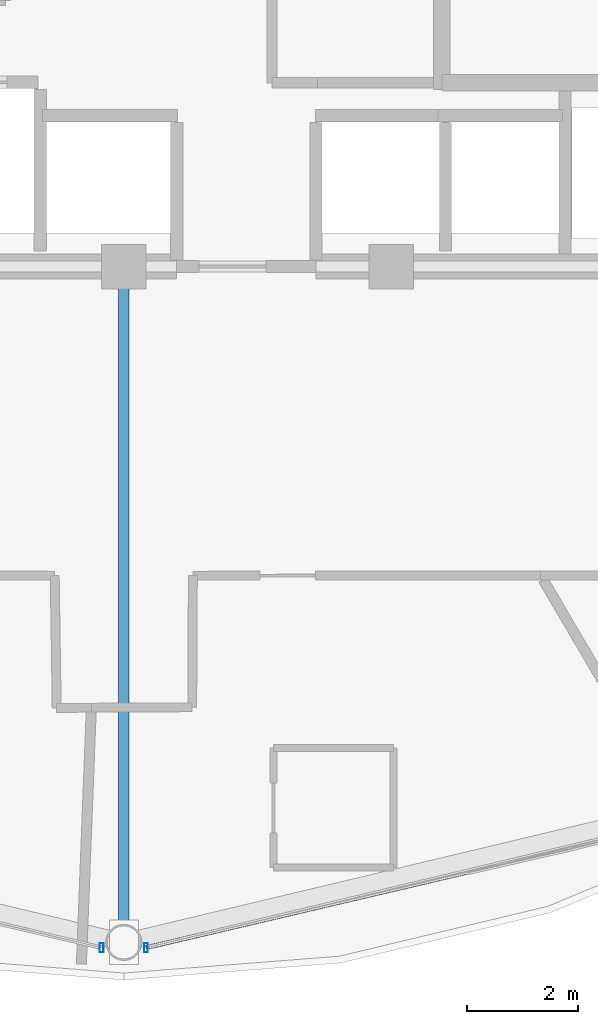
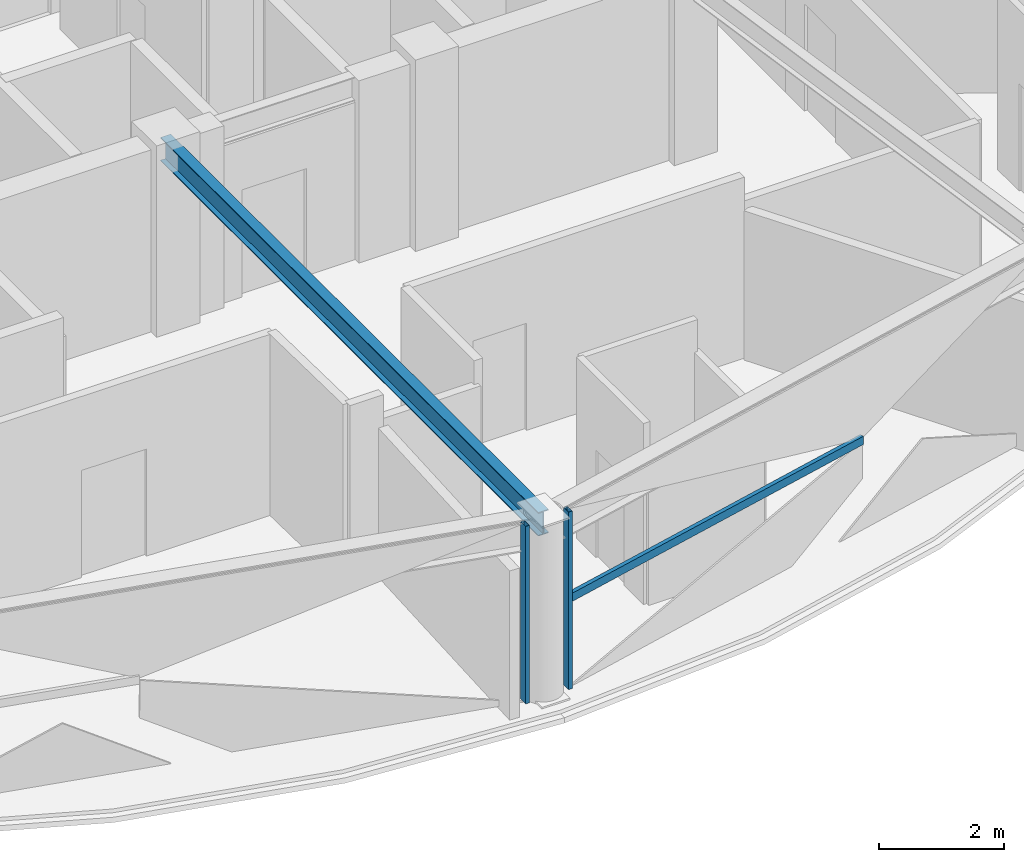
# One storey, part 5 of 28: 3 members, 1 beam, 2 elements without a shape of their own.
"""IFC4 building model written with IfcOpenShell, lengths in metres."""

import ifcopenshell
import ifcopenshell.guid

model = None  # the IFC model being written
_history = None  # IfcOwnerHistory: only IFC2X3 demands one
_inside = {}  # id of a spatial element -> (the spatial element, [elements in it])
_under = {}  # id of a project, library or spatial element -> (it, [spatial elements below it])
_declared = {}  # id of a project -> (the project, [libraries it declares])
_typed = {}  # id of a type object -> (the type object, [elements of that type])
_made_of = {}  # id of a material, layer set ... -> (it, [elements and type objects made of it])


def new_model(schema):
    """Start an empty IFC model of exactly this schema.

    Asked for "IFC4X3", IfcOpenShell would pick the latest addendum, in which some entities
    have other attributes; the version numbers below select the first issue.
    IFC2X3 requires an IfcOwnerHistory on every rooted entity: one is made here for all.
    """
    global model, _history
    if schema == "IFC4X3":
        model = ifcopenshell.file(schema_version=(4, 3, 0, 0))
    else:
        model = ifcopenshell.file(schema=schema)
    _inside.clear()
    _under.clear()
    _declared.clear()
    _typed.clear()
    _made_of.clear()
    _history = None
    if model.schema == "IFC2X3":
        org = make("IfcOrganization", Name="unknown")
        user = make(
            "IfcPersonAndOrganization",
            ThePerson=make("IfcPerson", FamilyName="unknown"),
            TheOrganization=org,
        )
        app = make(
            "IfcApplication",
            ApplicationDeveloper=org,
            Version="unknown",
            ApplicationFullName="unknown",
            ApplicationIdentifier="unknown",
        )
        _history = make(
            "IfcOwnerHistory",
            OwningUser=user,
            OwningApplication=app,
            ChangeAction="ADDED",
            CreationDate=0,
        )
    return model


def make(cls, **values):
    """One entity of the class cls with the attributes given. An attribute that is None is left unset."""
    return model.create_entity(
        cls, **{name: value for name, value in values.items() if value is not None}
    )


def rooted(cls, **values):
    """An entity with a GlobalId (a new one), such as an element, a storey or a relation."""
    return make(cls, GlobalId=ifcopenshell.guid.new(), OwnerHistory=_history, **values)


def si_unit(unit_type, name, prefix=None):
    """IfcSIUnit, for example si_unit("LENGTHUNIT", "METRE", prefix="MILLI")."""
    return make("IfcSIUnit", UnitType=unit_type, Prefix=prefix, Name=name)


def assignment(units):
    """IfcUnitAssignment: the units of a project."""
    return None if units is None else make("IfcUnitAssignment", Units=units)


def point(xyz):
    """IfcCartesianPoint."""
    return None if xyz is None else make("IfcCartesianPoint", Coordinates=xyz)


def direction(xyz):
    """IfcDirection."""
    return None if xyz is None else make("IfcDirection", DirectionRatios=xyz)


def frame(location, z_axis=None, x_axis=None):
    """IfcAxis2Placement3D, a coordinate frame: its origin and axes. An axis left out is left unset."""
    return make(
        "IfcAxis2Placement3D",
        Location=point(location),
        Axis=direction(z_axis),
        RefDirection=direction(x_axis),
    )


def frame_2d(location, x_axis=None):
    """IfcAxis2Placement2D, a coordinate frame in the plane: its origin and x axis."""
    return make(
        "IfcAxis2Placement2D", Location=point(location), RefDirection=direction(x_axis)
    )


def origin():
    """The frame at (0, 0, 0) with its axes left unset."""
    return frame((0.0, 0.0, 0.0))


def origin_2d():
    """The frame at (0, 0) in the plane with its x axis left unset."""
    return frame_2d((0.0, 0.0))


def place(relative_to, where):
    """IfcLocalPlacement: puts the frame where relative to a parent placement (None: the world)."""
    return make(
        "IfcLocalPlacement", PlacementRelTo=relative_to, RelativePlacement=where
    )


def context(
    kind, dimensions, precision=None, world=None, true_north=None, identifier=None
):
    """IfcGeometricRepresentationContext, for example the 3D "Model" context."""
    return make(
        "IfcGeometricRepresentationContext",
        ContextIdentifier=identifier,
        ContextType=kind,
        CoordinateSpaceDimension=dimensions,
        Precision=precision,
        WorldCoordinateSystem=world,
        TrueNorth=true_north,
    )


def subcontext(parent, identifier, kind, view, scale=None):
    """IfcGeometricRepresentationSubContext, for example "Body" below "Model"."""
    return make(
        "IfcGeometricRepresentationSubContext",
        ContextIdentifier=identifier,
        ContextType=kind,
        ParentContext=parent,
        TargetScale=scale,
        TargetView=view,
    )


def project(units=None, contexts=None):
    """IfcProject with its units and contexts."""
    return rooted(
        "IfcProject",
        Name="project",
        RepresentationContexts=contexts,
        UnitsInContext=assignment(units),
    )


def spatial(cls, under=None, at=None, **own):
    """A site, building, storey or space (cls), placed at a placement, below another one or the project."""
    s = rooted(cls, ObjectPlacement=at, **own)
    if under is not None:
        _under.setdefault(under.id(), (under, []))[1].append(s)
    return s


def profile(cls, at=None, kind="AREA", **sizes):
    """A parametric profile (cls). Its sizes go by their IFC names, for example OverallWidth=200.0."""
    return make(cls, ProfileType=kind, Position=at, **sizes)


def hollow_rectangle(**sizes):
    """IfcRectangleHollowProfileDef."""
    return profile("IfcRectangleHollowProfileDef", **sizes)


def i_section(**sizes):
    """IfcIShapeProfileDef."""
    return profile("IfcIShapeProfileDef", **sizes)


def extrude(swept, where, along, depth):
    """IfcExtrudedAreaSolid: the profile swept, set in the frame where, extruded along a direction by depth."""
    return make(
        "IfcExtrudedAreaSolid",
        SweptArea=swept,
        Position=where,
        ExtrudedDirection=direction(along),
        Depth=depth,
    )


def shape(context_of_items, identifier, shape_type, items):
    """IfcShapeRepresentation: the items that make up one representation, for example the "Body"."""
    return make(
        "IfcShapeRepresentation",
        ContextOfItems=context_of_items,
        RepresentationIdentifier=identifier,
        RepresentationType=shape_type,
        Items=items,
    )


def material(Name=None, Category=None):
    """IfcMaterial."""
    return make("IfcMaterial", Name=Name, Category=Category)


def layer(
    of_material, thickness, ventilated=None, Name=None, Category=None, Priority=None
):
    """IfcMaterialLayer: one layer of a wall or slab, of a material (None: an air gap)."""
    return make(
        "IfcMaterialLayer",
        Material=of_material,
        LayerThickness=thickness,
        IsVentilated=ventilated,
        Name=Name,
        Category=Category,
        Priority=Priority,
    )


def layer_set(layers, Name=None):
    """IfcMaterialLayerSet."""
    return make("IfcMaterialLayerSet", MaterialLayers=layers, LayerSetName=Name)


def material_profile(
    of_material, cross_section, Name=None, Category=None, Priority=None
):
    """IfcMaterialProfile: a cross section and its material."""
    return make(
        "IfcMaterialProfile",
        Name=Name,
        Material=of_material,
        Profile=cross_section,
        Priority=Priority,
        Category=Category,
    )


def profile_set(profiles, Name=None, composite=None):
    """IfcMaterialProfileSet."""
    return make(
        "IfcMaterialProfileSet",
        Name=Name,
        MaterialProfiles=profiles,
        CompositeProfile=composite,
    )


def made_of(thing, what):
    """Note that an element or type object is made of a material, layer set ...; save() writes the relation."""
    if what is not None:
        _made_of.setdefault(what.id(), (what, []))[1].append(thing)
    return thing


def type_object(cls, material=None, **own):
    """A type object (cls), such as IfcWallType, which elements share."""
    return made_of(rooted(cls, **own), material)


def element(
    cls,
    number,
    at=None,
    inside=None,
    cuts=None,
    type_object=None,
    material=None,
    context=None,
    identifier="Body",
    shape_type=None,
    held_by="IfcProductDefinitionShape",
    body=None,
    shapes=None,
    **own,
):
    """One element of the class cls, such as IfcWall. Its Tag is "e" and its number.

    at: its placement. inside: the storey or other place that contains it. cuts: it is an
    opening in that element (IfcRelVoidsElement). A single representation is given by context,
    identifier, shape_type and body (its items); several are given by shapes. held_by: the class
    of the entity that holds the representations. save() writes the other relations.
    """
    e = rooted(cls, Tag="e%d" % number, ObjectPlacement=at, **own)
    if body is not None:
        shapes = [shape(context, identifier, shape_type, body)]
    if shapes is not None:
        e.Representation = make(held_by, Representations=shapes)
    if inside is not None:
        _inside.setdefault(inside.id(), (inside, []))[1].append(e)
    if cuts is not None:
        rooted(
            "IfcRelVoidsElement", RelatingBuildingElement=cuts, RelatedOpeningElement=e
        )
    if type_object is not None:
        _typed.setdefault(type_object.id(), (type_object, []))[1].append(e)
    return made_of(e, material)


def aggregate(whole, parts):
    """IfcRelAggregates: a whole, such as a stair, and the parts it consists of."""
    return rooted("IfcRelAggregates", RelatingObject=whole, RelatedObjects=parts)


def save(model, path):
    """Write the relations noted so far, then the file.

    IfcRelAggregates (storeys below a building ...), IfcRelContainedInSpatialStructure (elements
    in a storey), IfcRelDefinesByType, IfcRelAssociatesMaterial and IfcRelDeclares: one each for
    every whole, place, type object, material and project.
    """
    for whole, parts in _under.values():
        aggregate(whole, parts)
    for where, things in _inside.values():
        rooted(
            "IfcRelContainedInSpatialStructure",
            RelatedElements=things,
            RelatingStructure=where,
        )
    for kind, things in _typed.values():
        rooted("IfcRelDefinesByType", RelatedObjects=things, RelatingType=kind)
    for what, things in _made_of.values():
        rooted("IfcRelAssociatesMaterial", RelatedObjects=things, RelatingMaterial=what)
    for by, libraries in _declared.values():
        rooted("IfcRelDeclares", RelatingContext=by, RelatedDefinitions=libraries)
    model.write(path)


model = new_model("IFC4")

# Units and contexts
model_context = context("Model", 3, precision=1e-05, world=origin(), true_north=direction((0.0, 1.0)))
body_context = subcontext(model_context, "Body", "Model", "MODEL_VIEW")
ifc_project = project(units=[si_unit("LENGTHUNIT", "METRE"), si_unit("AREAUNIT", "SQUARE_METRE"), si_unit("VOLUMEUNIT", "CUBIC_METRE"), si_unit("PLANEANGLEUNIT", "RADIAN"), si_unit("MASSUNIT", "GRAM", prefix="KILO")], contexts=[model_context])

# Site, building, storey
site_placement = place(None, origin())
site = spatial("IfcSite", under=ifc_project, at=site_placement, CompositionType="ELEMENT")
building_placement = place(site_placement, origin())
building = spatial("IfcBuilding", under=site, at=building_placement, Name="Vantalir Tower", CompositionType="ELEMENT")
storey_placement = place(building_placement, frame((0.0, 0.0, 238.64990234375)))
storey = spatial("IfcBuildingStorey", under=building, at=storey_placement, Name="L60", CompositionType="ELEMENT", Elevation=238.64990234375)

# Beam
ifc_material_1 = material(Name="Steel S355", Category="steel")
ifc_material_profile_1 = material_profile(ifc_material_1, i_section(OverallWidth=0.19189453125, OverallDepth=0.462890625, WebThickness=0.010498046875, FlangeThickness=0.017578125, at=origin_2d()), Name="Steel S355")
ifc_profile_set_1 = profile_set([ifc_material_profile_1], Name="Steel S355")
beam_type = type_object("IfcBeamType", Name="BM-RB-457x191", PredefinedType="BEAM", material=ifc_profile_set_1)
beam_placement = place(storey_placement, frame((31.5, 5.6669921875, 3.338134765625), z_axis=(0.0, 1.0, 0.0), x_axis=(-1.0, 0.0, 0.0)))
element("IfcBeam", 1, at=beam_placement, inside=storey, type_object=beam_type, Name="L60 Radial Floor Beam 10", PredefinedType="BEAM", context=body_context, shape_type="SweptSolid", body=[
    extrude(i_section(OverallWidth=0.19189453125, OverallDepth=0.462890625, WebThickness=0.010498046875, FlangeThickness=0.017578125, at=origin_2d()), origin(), (0.0, 0.0, 1.0), 12.133056640625),
])

# Curtain wall, member
ifc_material_2 = material(Name="Champagne-silver PVDF aluminium and double-silver Low-E glass", Category="aluminium")
ifc_layer = layer(ifc_material_2, 0.2099609375)
ifc_layer_set = layer_set([ifc_layer], Name="Champagne-silver PVDF aluminium and double-silver Low-E glass")
curtain_wall_type = type_object("IfcCurtainWallType", Name="CW-DIAMOND-Z3", PredefinedType="USERDEFINED", material=ifc_layer_set)
curtain_wall_1_placement = place(storey_placement, origin())
curtain_wall_1 = element("IfcCurtainWall", 2, at=curtain_wall_1_placement, inside=storey, type_object=curtain_wall_type, Name="L60 Quilted Pyramid-Diamond Curtain Wall S09", ObjectType="UNITISED CURTAIN WALL", PredefinedType="USERDEFINED")
ifc_material_3 = material(Name="Champagne-silver PVDF aluminium 6063-T6", Category="aluminium")
ifc_material_profile_2 = material_profile(ifc_material_3, hollow_rectangle(XDim=0.070068359375, YDim=0.1650390625, WallThickness=0.00390625, at=origin_2d()), Name="Champagne-silver PVDF aluminium 6063-T6")
ifc_profile_set_2 = profile_set([ifc_material_profile_2], Name="Champagne-silver PVDF aluminium 6063-T6")
member_type_1 = type_object("IfcMemberType", Name="CWM-165x70", PredefinedType="MULLION", material=ifc_profile_set_2)
member_1_placement = place(storey_placement, frame((31.10107421875, 5.572021484375, 0.045166015625), z_axis=(0.0, 0.0, 1.0), x_axis=(1.0, 0.0, 0.0)))
member_1 = element("IfcMember", 3, at=member_1_placement, type_object=member_type_1, Name="CW-L60-S09 Mullion 2", PredefinedType="MULLION", context=body_context, shape_type="SweptSolid", body=[
    extrude(hollow_rectangle(XDim=0.070068359375, YDim=0.1650390625, WallThickness=0.00390625, at=origin_2d()), origin(), (0.0, 0.0, 1.0), 3.47998046875),
])
aggregate(curtain_wall_1, [member_1])

# Curtain wall, members
curtain_wall_2_placement = place(storey_placement, origin())
curtain_wall_2 = element("IfcCurtainWall", 4, at=curtain_wall_2_placement, inside=storey, type_object=curtain_wall_type, Name="L60 Quilted Pyramid-Diamond Curtain Wall S10", ObjectType="UNITISED CURTAIN WALL", PredefinedType="USERDEFINED")
member_2_placement = place(storey_placement, frame((31.89892578125, 5.572021484375, 0.045166015625), z_axis=(0.0, 0.0, 1.0), x_axis=(1.0, 0.0, 0.0)))
member_2 = element("IfcMember", 5, at=member_2_placement, type_object=member_type_1, Name="CW-L60-S10 Mullion 1", PredefinedType="MULLION", context=body_context, shape_type="SweptSolid", body=[
    extrude(hollow_rectangle(XDim=0.070068359375, YDim=0.1650390625, WallThickness=0.00390625, at=origin_2d()), origin(), (0.0, 0.0, 1.0), 3.47998046875),
])
ifc_material_profile_3 = material_profile(ifc_material_3, hollow_rectangle(XDim=0.074951171875, YDim=0.159912109375, WallThickness=0.00390625, at=origin_2d()), Name="Champagne-silver PVDF aluminium 6063-T6")
ifc_profile_set_3 = profile_set([ifc_material_profile_3], Name="Champagne-silver PVDF aluminium 6063-T6")
member_type_2 = type_object("IfcMemberType", Name="CWT-160x75", PredefinedType="USERDEFINED", material=ifc_profile_set_3)
member_3_placement = place(storey_placement, frame((31.89892578125, 5.572021484375, 1.78515625), z_axis=(0.973473493808, 0.2287998183, 0.0), x_axis=(-0.2287998183, 0.973473493808, 0.0)))
member_3 = element("IfcMember", 6, at=member_3_placement, type_object=member_type_2, Name="CW-L60-S10 Pyramid Fold Ridge Transom", ObjectType="TRANSOM", PredefinedType="USERDEFINED", context=body_context, shape_type="SweptSolid", body=[
    extrude(hollow_rectangle(XDim=0.074951171875, YDim=0.159912109375, WallThickness=0.00390625, at=origin_2d()), origin(), (0.0, 0.0, 1.0), 6.47705078125),
])
aggregate(curtain_wall_2, [member_2, member_3])

save(model, "model.ifc")
